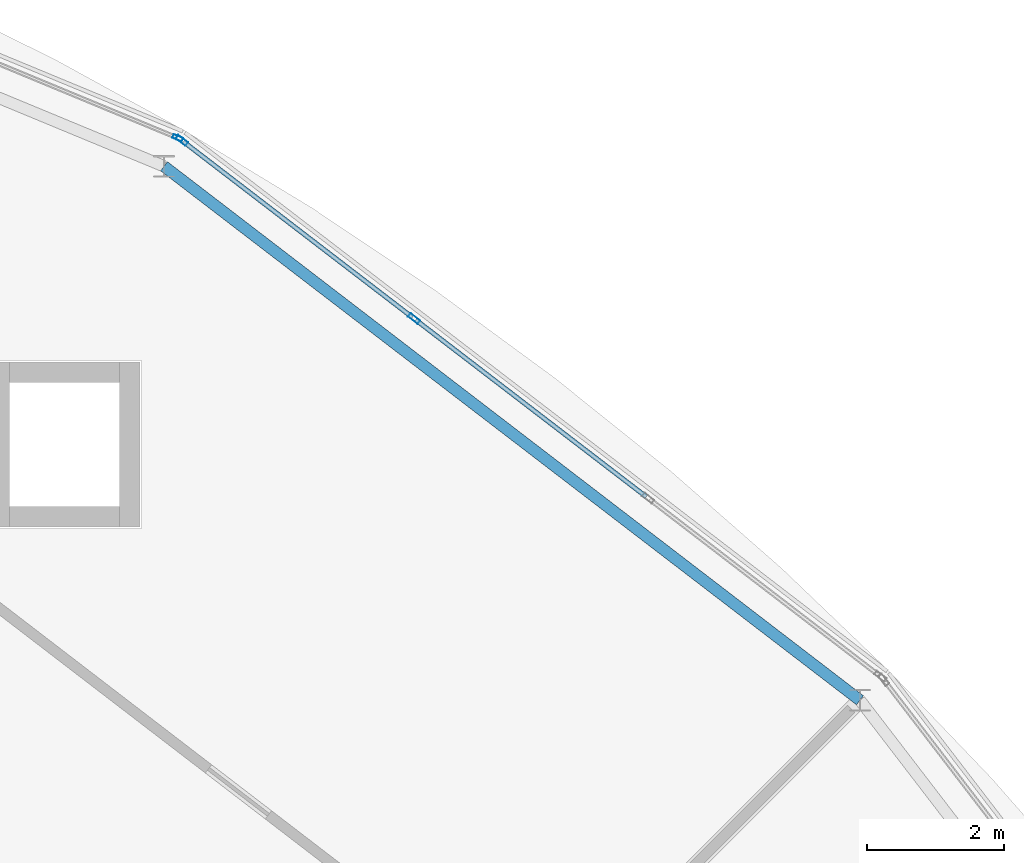
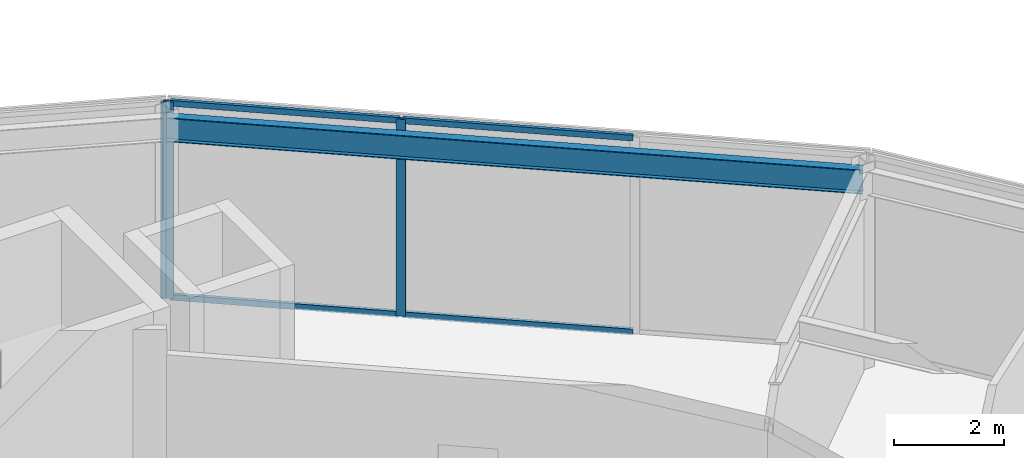
# One storey, part 60 of 116: 7 members, 1 beam, 2 elements without a shape of their own.
"""IFC4 building model written with IfcOpenShell, lengths in metres."""

from ifc_helpers import new_model, si_unit, direction, frame, origin, origin_2d, place, context, subcontext, project, spatial, hollow_rectangle, i_section, extrude, material, material_profile, profile_set, type_object, element, aggregate, save


model = new_model("IFC4")

# Units and contexts
model_context = context("Model", 3, precision=1e-05, world=origin(), true_north=direction((0.0, 1.0)))
body_context = subcontext(model_context, "Body", "Model", "MODEL_VIEW")
ifc_project = project(units=[si_unit("LENGTHUNIT", "METRE"), si_unit("AREAUNIT", "SQUARE_METRE"), si_unit("VOLUMEUNIT", "CUBIC_METRE"), si_unit("PLANEANGLEUNIT", "RADIAN"), si_unit("MASSUNIT", "GRAM", prefix="KILO")], contexts=[model_context])

# Site, building, storey
site_placement = place(None, origin())
site = spatial("IfcSite", under=ifc_project, at=site_placement, CompositionType="ELEMENT")
building_placement = place(site_placement, origin())
building = spatial("IfcBuilding", under=site, at=building_placement, Name="Almandine Court Research Institute", CompositionType="ELEMENT")
storey_placement = place(building_placement, frame((0.0, 0.0, 14.35009765625)))
storey = spatial("IfcBuildingStorey", under=building, at=storey_placement, Name="L03", CompositionType="ELEMENT", Elevation=14.35009765625)

# Beam
ifc_material_1 = material(Name="Steel ASTM A992 Grade 50", Category="steel")
ifc_material_profile_1 = material_profile(ifc_material_1, i_section(OverallWidth=0.166015625, OverallDepth=0.534912109375, WebThickness=0.010009765625, FlangeThickness=0.01708984375, at=origin_2d()), Name="W530x85")
ifc_profile_set_1 = profile_set([ifc_material_profile_1], Name="Steel ASTM A992 Grade 50")
beam_type = type_object("IfcBeamType", Name="Beam-G-05-E", PredefinedType="SPANDREL", material=ifc_profile_set_1)
beam_placement = place(storey_placement, frame((121.577880859375, 90.577880859375, 4.102783203125), z_axis=(-0.793360662587, 0.608751886289, 0.0), x_axis=(-0.608751886289, -0.793360662587, 0.0)))
element("IfcBeam", 1, at=beam_placement, inside=storey, type_object=beam_type, Name="L03 Drum OUT Ring Beam 03", PredefinedType="SPANDREL", context=body_context, shape_type="SweptSolid", body=[
    extrude(i_section(OverallWidth=0.166015625, OverallDepth=0.534912109375, WebThickness=0.010009765625, FlangeThickness=0.01708984375, at=origin_2d()), origin(), (0.0, 0.0, 1.0), 12.765869140625),
])

# Curtain wall, member
ifc_material_2 = material(Name="Unitised Curtain Wall Framing and Solar Glazing", Category="glass")
curtain_wall_type_1 = type_object("IfcCurtainWallType", Name="CW-CWG-20", PredefinedType="USERDEFINED", material=ifc_material_2)
curtain_wall_1_placement = place(storey_placement, origin())
curtain_wall_1 = element("IfcCurtainWall", 2, at=curtain_wall_1_placement, inside=storey, type_object=curtain_wall_type_1, Name="L03 Stacked-Ring Drum Outer Unitised Glazing 04", ObjectType="UNITISED GLAZING", PredefinedType="USERDEFINED")
ifc_material_3 = material(Name="Anodised Aluminium AW-6063-T6", Category="aluminium")
ifc_material_profile_2 = material_profile(ifc_material_3, hollow_rectangle(XDim=0.06005859375, YDim=0.14990234375, WallThickness=0.00390625, at=origin_2d()), Name="ALU RHS 60x150x4")
ifc_profile_set_2 = profile_set([ifc_material_profile_2], Name="Anodised Aluminium AW-6063-T6")
member_type_1 = type_object("IfcMemberType", Name="CWMul-60x150", PredefinedType="MULLION", material=ifc_profile_set_2)
member_1_placement = place(storey_placement, frame((111.649169921875, 98.760498046875, 0.0), z_axis=(0.0, 0.0, 1.0), x_axis=(0.382662689242, 0.923888124321, 0.0)))
member_1 = element("IfcMember", 3, at=member_1_placement, type_object=member_type_1, Name="CWG-20 mullion 4", PredefinedType="MULLION", context=body_context, shape_type="SweptSolid", body=[
    extrude(hollow_rectangle(XDim=0.06005859375, YDim=0.14990234375, WallThickness=0.00390625, at=origin_2d()), origin(), (0.0, 0.0, 1.0), 4.369873046875),
])
aggregate(curtain_wall_1, [member_1])

# Curtain wall, members
curtain_wall_type_2 = type_object("IfcCurtainWallType", Name="CW-CWJ-19", PredefinedType="USERDEFINED", material=ifc_material_2)
curtain_wall_2_placement = place(storey_placement, origin())
curtain_wall_2 = element("IfcCurtainWall", 4, at=curtain_wall_2_placement, inside=storey, type_object=curtain_wall_type_2, Name="L03 Stacked-Ring Drum Outer Solar Jali Screen 03", ObjectType="SOLAR JALI SCREEN", PredefinedType="USERDEFINED")
ifc_material_profile_3 = material_profile(ifc_material_3, hollow_rectangle(XDim=0.06494140625, YDim=0.179931640625, WallThickness=0.00390625, at=origin_2d()), Name="ALU RHS 65x180x4")
ifc_profile_set_3 = profile_set([ifc_material_profile_3], Name="Anodised Aluminium AW-6063-T6")
member_type_2 = type_object("IfcMemberType", Name="CWMul-65x180", PredefinedType="MULLION", material=ifc_profile_set_3)
member_2_placement = place(storey_placement, frame((111.708740234375, 98.72509765625, 0.0), z_axis=(0.0, 0.0, 1.0), x_axis=(0.608723313303, 0.793382586046, 0.0)))
member_2 = element("IfcMember", 5, at=member_2_placement, type_object=member_type_2, Name="CWJ-19 mullion 1", PredefinedType="MULLION", context=body_context, shape_type="SweptSolid", body=[
    extrude(hollow_rectangle(XDim=0.06494140625, YDim=0.179931640625, WallThickness=0.00390625, at=origin_2d()), origin(), (0.0, 0.0, 1.0), 4.369873046875),
])
member_3_placement = place(storey_placement, frame((115.088623046875, 96.132080078125, 0.0), z_axis=(0.0, 0.0, 1.0), x_axis=(0.608723313303, 0.793382586046, 0.0)))
member_3 = element("IfcMember", 6, at=member_3_placement, type_object=member_type_2, Name="CWJ-19 mullion 2", PredefinedType="MULLION", context=body_context, shape_type="SweptSolid", body=[
    extrude(hollow_rectangle(XDim=0.06494140625, YDim=0.179931640625, WallThickness=0.00390625, at=origin_2d()), origin(), (0.0, 0.0, 1.0), 4.369873046875),
])
ifc_material_profile_4 = material_profile(ifc_material_3, hollow_rectangle(XDim=0.06494140625, YDim=0.1298828125, WallThickness=0.00390625, at=origin_2d()), Name="ALU RHS 65x130x4")
ifc_profile_set_4 = profile_set([ifc_material_profile_4], Name="Anodised Aluminium AW-6063-T6")
member_type_3 = type_object("IfcMemberType", Name="CWTrn-65x130", PredefinedType="NOTDEFINED", material=ifc_profile_set_4)
member_4_placement = place(storey_placement, frame((111.734619140625, 98.705322265625, 0.032470703125), z_axis=(0.793408675449, -0.608689308041, 0.0), x_axis=(0.608689308041, 0.793408675449, 0.0)))
member_4 = element("IfcMember", 7, at=member_4_placement, type_object=member_type_3, Name="CWJ-19 transom 1.1", ObjectType="TRANSOM", PredefinedType="USERDEFINED", context=body_context, shape_type="SweptSolid", body=[
    extrude(hollow_rectangle(XDim=0.06494140625, YDim=0.1298828125, WallThickness=0.00390625, at=origin_2d()), origin(), (0.0, 0.0, 1.0), 4.195068359375),
])
member_5_placement = place(storey_placement, frame((111.734619140625, 98.705322265625, 4.33740234375), z_axis=(0.793408675449, -0.608689308041, 0.0), x_axis=(0.608689308041, 0.793408675449, 0.0)))
member_5 = element("IfcMember", 8, at=member_5_placement, type_object=member_type_3, Name="CWJ-19 transom 1.2", ObjectType="TRANSOM", PredefinedType="USERDEFINED", context=body_context, shape_type="SweptSolid", body=[
    extrude(hollow_rectangle(XDim=0.06494140625, YDim=0.1298828125, WallThickness=0.00390625, at=origin_2d()), origin(), (0.0, 0.0, 1.0), 4.195068359375),
])
member_6_placement = place(storey_placement, frame((115.114501953125, 96.1123046875, 0.032470703125), z_axis=(0.793368349931, -0.608741867566, 0.0), x_axis=(0.608741867566, 0.793368349931, 0.0)))
member_6 = element("IfcMember", 9, at=member_6_placement, type_object=member_type_3, Name="CWJ-19 transom 2.1", ObjectType="TRANSOM", PredefinedType="USERDEFINED", context=body_context, shape_type="SweptSolid", body=[
    extrude(hollow_rectangle(XDim=0.06494140625, YDim=0.1298828125, WallThickness=0.00390625, at=origin_2d()), origin(), (0.0, 0.0, 1.0), 4.2275390625),
])
member_7_placement = place(storey_placement, frame((115.114501953125, 96.1123046875, 4.33740234375), z_axis=(0.793368349931, -0.608741867566, 0.0), x_axis=(0.608741867566, 0.793368349931, 0.0)))
member_7 = element("IfcMember", 10, at=member_7_placement, type_object=member_type_3, Name="CWJ-19 transom 2.2", ObjectType="TRANSOM", PredefinedType="USERDEFINED", context=body_context, shape_type="SweptSolid", body=[
    extrude(hollow_rectangle(XDim=0.06494140625, YDim=0.1298828125, WallThickness=0.00390625, at=origin_2d()), origin(), (0.0, 0.0, 1.0), 4.2275390625),
])
aggregate(curtain_wall_2, [member_2, member_3, member_4, member_5, member_6, member_7])

save(model, "model.ifc")
